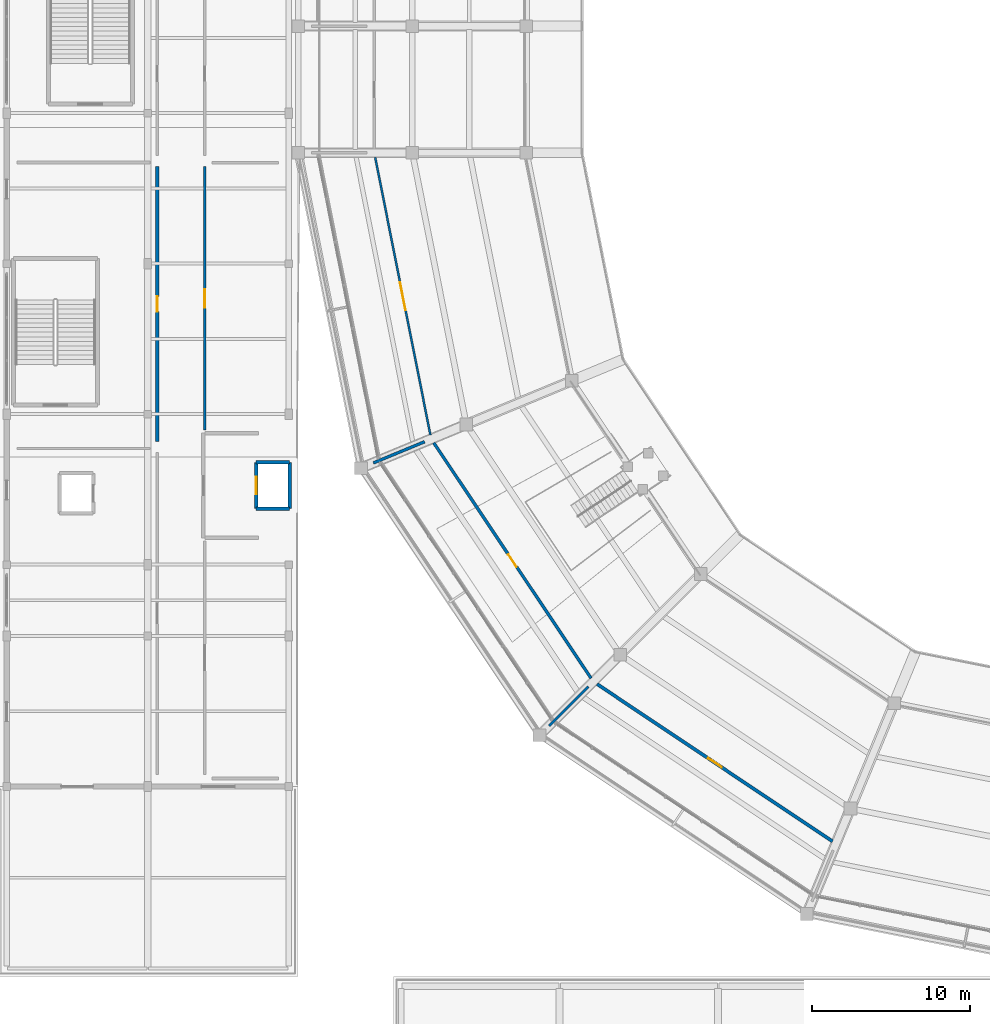
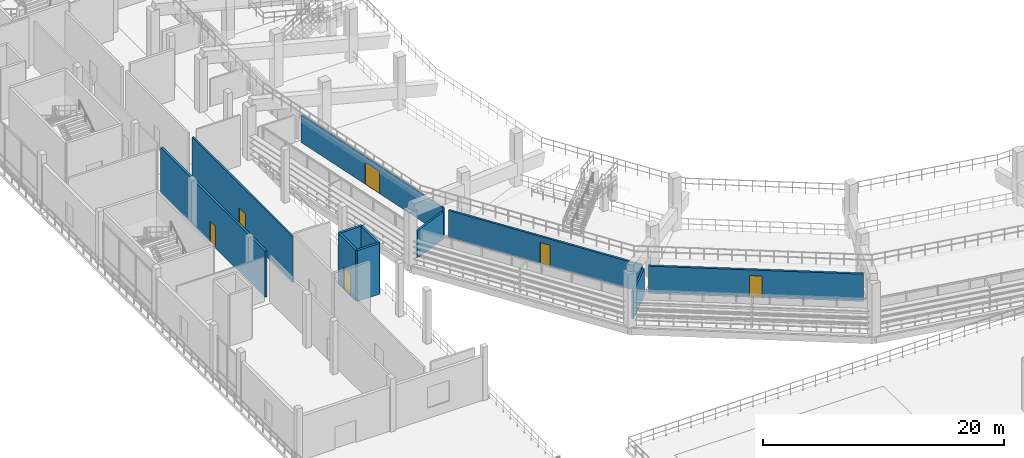
# One storey, part 60 of 96: 11 walls, 6 doors, 6 openings.
"""IFC4 building model written with IfcOpenShell, lengths in metres."""

from ifc_helpers import new_model, si_unit, direction, frame, frame_2d, origin, place, context, subcontext, project, spatial, rectangle, extrude, material, layer, layer_set, type_object, element, fill, save


model = new_model("IFC4")

# Units and contexts
model_context = context("Model", 3, precision=1e-05, world=origin(), true_north=direction((0.0, 1.0)))
body_context = subcontext(model_context, "Body", "Model", "MODEL_VIEW")
ifc_project = project(units=[si_unit("LENGTHUNIT", "METRE"), si_unit("AREAUNIT", "SQUARE_METRE"), si_unit("VOLUMEUNIT", "CUBIC_METRE"), si_unit("PLANEANGLEUNIT", "RADIAN"), si_unit("MASSUNIT", "GRAM", prefix="KILO")], contexts=[model_context])

# Site, building, storey
site_placement = place(None, origin())
site = spatial("IfcSite", under=ifc_project, at=site_placement, CompositionType="ELEMENT")
building_placement = place(site_placement, origin())
building = spatial("IfcBuilding", under=site, at=building_placement, Name="Candeia Ridge Stadium", CompositionType="ELEMENT")
storey_placement = place(building_placement, frame((0.0, 0.0, 21.60009765625)))
storey = spatial("IfcBuildingStorey", under=building, at=storey_placement, Name="L04", CompositionType="ELEMENT", Elevation=21.60009765625)

# Wall, opening, door
ifc_material_1 = material(Name="Gypsum Acoustic Twin-Stud Assembly", Category="gypsum")
ifc_layer_1 = layer(ifc_material_1, 0.159912109375, Name="Gypsum Acoustic Twin-Stud Assembly", Category="gypsum")
ifc_layer_set_1 = layer_set([ifc_layer_1], Name="Gypsum Acoustic Twin-Stud Assembly")
wall_type_1 = type_object("IfcWallType", Name="Club Dining Acoustic Partition 160", PredefinedType="PARTITIONING", material=ifc_layer_set_1)
wall_1_placement = place(storey_placement, frame((13.10009765625, 53.489990234375, 0.0), z_axis=(0.0, 0.0, 1.0), x_axis=(0.0, 1.0, 0.0)))
wall_1 = element("IfcWall", 1, at=wall_1_placement, inside=storey, type_object=wall_type_1, Name="Interior partition PT-L04-0629", PredefinedType="PARTITIONING", context=body_context, shape_type="SweptSolid", body=[
    extrude(rectangle(XDim=16.635986328125, YDim=0.159912109375, at=frame_2d((8.31787109375, 0.0))), origin(), (0.0, 0.0, 1.0), 4.666015625),
])
opening_1_placement = place(wall_1_placement, frame((7.742919921875, 0.0, 0.0)))
opening_1 = element("IfcOpeningElement", 2, at=opening_1_placement, cuts=wall_1, Name="Opening ID02", PredefinedType="OPENING", context=body_context, shape_type="SweptSolid", body=[
    extrude(rectangle(XDim=1.14990234375, YDim=2.199951171875, at=frame_2d((0.574951171875, 1.10009765625))), frame((0.0, 0.08984375, 0.0), z_axis=(0.0, -1.0, 0.0), x_axis=(1.0, 0.0, 0.0)), (0.0, 0.0, 1.0), 0.179931640625),
])
ifc_material_2 = material(Name="Acoustic Timber Studio Leaf", Category="wood")
door_type_1 = type_object("IfcDoorType", Name="Broadcast & Press Studio Door 1150x2200", OperationType="NOTDEFINED", PredefinedType="DOOR", material=ifc_material_2)
door_1_placement = place(opening_1_placement, origin())
door_1 = element("IfcDoor", 3, at=door_1_placement, inside=storey, type_object=door_type_1, Name="Interior room door D-L04-0323", OperationType="SINGLE_SWING_RIGHT", OverallHeight=2.199951171875, OverallWidth=1.14990234375, PredefinedType="DOOR", context=body_context, shape_type="SweptSolid", body=[
    extrude(rectangle(XDim=1.14990234375, YDim=2.199951171875, at=frame_2d((0.574951171875, 1.10009765625))), frame((0.0, 0.02490234375, 0.0), z_axis=(0.0, -1.0, 0.0), x_axis=(1.0, 0.0, 0.0)), (0.0, 0.0, 1.0), 0.050048828125),
])
fill(opening_1, door_1)

# Walls
ifc_layer_2 = layer(ifc_material_1, 0.1650390625, Name="Gypsum Acoustic Twin-Stud Assembly", Category="gypsum")
ifc_layer_set_2 = layer_set([ifc_layer_2], Name="Gypsum Acoustic Twin-Stud Assembly")
wall_type_2 = type_object("IfcWallType", Name="Hospitality Suite Acoustic Wall 165", PredefinedType="PARTITIONING", material=ifc_layer_set_2)
wall_2_placement = place(storey_placement, frame((37.306396484375, 37.306396484375, 0.0), z_axis=(0.0, 0.0, 1.0), x_axis=(-0.707106781187, -0.707106781187, 0.0)))
element("IfcWall", 4, at=wall_2_placement, inside=storey, type_object=wall_type_2, Name="Demising partition PT-L04-0655", PredefinedType="PARTITIONING", context=body_context, shape_type="SweptSolid", body=[
    extrude(rectangle(XDim=3.5, YDim=0.1650390625, at=frame_2d((1.75, 0.0))), origin(), (0.0, 0.0, 1.0), 2.772216796875),
])
ifc_material_3 = material(Name="Concrete C40/50", Category="concrete")
ifc_layer_3 = layer(ifc_material_3, 0.219970703125, Name="Concrete C40/50", Category="concrete")
ifc_layer_set_3 = layer_set([ifc_layer_3], Name="Concrete C40/50")
wall_type_3 = type_object("IfcWallType", Name="Lift & Riser Shaft Wall 220", PredefinedType="SHEAR", material=ifc_layer_set_3)
wall_3_placement = place(storey_placement, frame((16.340087890625, 48.5400390625, 0.0), z_axis=(0.0, 0.0, 1.0), x_axis=(1.0, 0.0, 0.0)))
element("IfcWall", 5, at=wall_3_placement, inside=storey, type_object=wall_type_3, Name="Lift FF1 shaft wall L04 south", PredefinedType="SHEAR", context=body_context, shape_type="SweptSolid", body=[
    extrude(rectangle(XDim=2.119873046875, YDim=0.219970703125, at=frame_2d((1.06005859375, 0.0))), origin(), (0.0, 0.0, 1.0), 5.14990234375),
])
wall_4_placement = place(storey_placement, frame((18.4599609375, 48.5400390625, 0.0), z_axis=(0.0, 0.0, 1.0), x_axis=(0.0, 1.0, 0.0)))
element("IfcWall", 6, at=wall_4_placement, inside=storey, type_object=wall_type_3, Name="Lift FF1 shaft wall L04 east", PredefinedType="SHEAR", context=body_context, shape_type="SweptSolid", body=[
    extrude(rectangle(XDim=2.919921875, YDim=0.219970703125, at=frame_2d((1.4599609375, 0.0))), origin(), (0.0, 0.0, 1.0), 5.14990234375),
])
wall_5_placement = place(storey_placement, frame((18.4599609375, 51.4599609375, 0.0), z_axis=(0.0, 0.0, 1.0), x_axis=(-1.0, 0.0, 0.0)))
element("IfcWall", 7, at=wall_5_placement, inside=storey, type_object=wall_type_3, Name="Lift FF1 shaft wall L04 north", PredefinedType="SHEAR", context=body_context, shape_type="SweptSolid", body=[
    extrude(rectangle(XDim=2.119873046875, YDim=0.219970703125, at=frame_2d((1.06005859375, 0.0))), origin(), (0.0, 0.0, 1.0), 5.14990234375),
])

# Wall, opening, door
wall_6_placement = place(storey_placement, frame((16.340087890625, 51.4599609375, 0.0), z_axis=(0.0, 0.0, 1.0), x_axis=(0.0, -1.0, 0.0)))
wall_6 = element("IfcWall", 8, at=wall_6_placement, inside=storey, type_object=wall_type_3, Name="Lift FF1 shaft wall L04 west", PredefinedType="SHEAR", context=body_context, shape_type="SweptSolid", body=[
    extrude(rectangle(XDim=2.919921875, YDim=0.219970703125, at=frame_2d((1.4599609375, 0.0))), origin(), (0.0, 0.0, 1.0), 5.14990234375),
])
opening_2_placement = place(wall_6_placement, frame((0.909912109375, 0.0, 0.0)))
opening_2 = element("IfcOpeningElement", 9, at=opening_2_placement, cuts=wall_6, Name="Opening LD01", PredefinedType="OPENING", context=body_context, shape_type="SweptSolid", body=[
    extrude(rectangle(XDim=1.10009765625, YDim=2.199951171875, at=frame_2d((0.550048828125, 1.10009765625))), frame((0.0, 0.119873046875, 0.0), z_axis=(0.0, -1.0, 0.0), x_axis=(1.0, 0.0, 0.0)), (0.0, 0.0, 1.0), 0.239990234375),
])
ifc_material_4 = material(Name="Brushed Stainless Steel", Category="steel")
door_type_2 = type_object("IfcDoorType", Name="Firefighting Lift Landing Door 1100x2200", OperationType="NOTDEFINED", PredefinedType="DOOR", material=ifc_material_4)
door_2_placement = place(opening_2_placement, origin())
door_2 = element("IfcDoor", 10, at=door_2_placement, inside=storey, type_object=door_type_2, Name="Lift landing sliding door LD-FF1-L04", OperationType="DOUBLE_DOOR_SLIDING", OverallHeight=2.199951171875, OverallWidth=1.10009765625, PredefinedType="DOOR", context=body_context, shape_type="SweptSolid", body=[
    extrude(rectangle(XDim=1.10009765625, YDim=2.199951171875, at=frame_2d((0.550048828125, 1.10009765625))), frame((0.0, 0.02490234375, 0.0), z_axis=(0.0, -1.0, 0.0), x_axis=(1.0, 0.0, 0.0)), (0.0, 0.0, 1.0), 0.050048828125),
])
fill(opening_2, door_2)

ifc_material_5 = material(Name="Gypsum Acoustic Triple-Board Wall", Category="gypsum")
ifc_layer_4 = layer(ifc_material_5, 0.18994140625, Name="Gypsum Acoustic Triple-Board Wall", Category="gypsum")
ifc_layer_set_4 = layer_set([ifc_layer_4], Name="Gypsum Acoustic Triple-Board Wall")
wall_type_4 = type_object("IfcWallType", Name="Media & Commentary Studio Wall 190", PredefinedType="PARTITIONING", material=ifc_layer_set_4)
wall_7_placement = place(storey_placement, frame((27.553955078125, 52.6962890625, 0.0), z_axis=(0.0, 0.0, 1.0), x_axis=(0.55556974362, -0.831469939309, 0.0)))
wall_7 = element("IfcWall", 11, at=wall_7_placement, inside=storey, type_object=wall_type_4, Name="Interior partition PT-L04-0654", PredefinedType="PARTITIONING", context=body_context, shape_type="SweptSolid", body=[
    extrude(rectangle(XDim=17.87646484375, YDim=0.18994140625, at=frame_2d((8.938232421875, 0.0))), origin(), (0.0, 0.0, 1.0), 2.772216796875),
])
opening_3_placement = place(wall_7_placement, frame((8.463134765625, 0.0, 0.0)))
opening_3 = element("IfcOpeningElement", 12, at=opening_3_placement, cuts=wall_7, Name="Opening ID05", PredefinedType="OPENING", context=body_context, shape_type="SweptSolid", body=[
    extrude(rectangle(XDim=0.949951171875, YDim=2.14990234375, at=frame_2d((0.47509765625, 1.074951171875))), frame((0.0, 0.10498046875, 0.0), z_axis=(0.0, -1.0, 0.0), x_axis=(1.0, 0.0, 0.0)), (0.0, 0.0, 1.0), 0.2099609375),
])
ifc_material_6 = material(Name="Solid Core Cedar Veneer", Category="wood")
door_type_3 = type_object("IfcDoorType", Name="General Room Single Door 950x2150", OperationType="NOTDEFINED", PredefinedType="DOOR", material=ifc_material_6)
door_3_placement = place(opening_3_placement, origin())
door_3 = element("IfcDoor", 13, at=door_3_placement, inside=storey, type_object=door_type_3, Name="Interior room door D-L04-0336", OperationType="SINGLE_SWING_LEFT", OverallHeight=2.14990234375, OverallWidth=0.949951171875, PredefinedType="DOOR", context=body_context, shape_type="SweptSolid", body=[
    extrude(rectangle(XDim=0.949951171875, YDim=2.14990234375, at=frame_2d((0.47509765625, 1.074951171875))), frame((0.0, 0.02490234375, 0.0), z_axis=(0.0, -1.0, 0.0), x_axis=(1.0, 0.0, 0.0)), (0.0, 0.0, 1.0), 0.050048828125),
])
fill(opening_3, door_3)

# Wall
ifc_layer_5 = layer(ifc_material_5, 0.18505859375, Name="Gypsum Acoustic Triple-Board Wall", Category="gypsum")
ifc_layer_set_5 = layer_set([ifc_layer_5], Name="Gypsum Acoustic Triple-Board Wall")
wall_type_5 = type_object("IfcWallType", Name="Media Booth Studio Divider 185", PredefinedType="PARTITIONING", material=ifc_layer_set_5)
wall_8_placement = place(storey_placement, frame((26.977294921875, 52.76513671875, 0.0), z_axis=(0.0, 0.0, 1.0), x_axis=(-0.923896124067, -0.382643374349, 0.0)))
element("IfcWall", 14, at=wall_8_placement, inside=storey, type_object=wall_type_5, Name="Demising partition PT-L04-0653", PredefinedType="PARTITIONING", context=body_context, shape_type="SweptSolid", body=[
    extrude(rectangle(XDim=3.500244140625, YDim=0.18505859375, at=frame_2d((1.75, 0.0))), origin(), (0.0, 0.0, 1.0), 2.772216796875),
])

# Wall, opening, door
ifc_material_7 = material(Name="Moisture-Resistant Masonry & Tile", Category="masonry")
ifc_layer_6 = layer(ifc_material_7, 0.2099609375, Name="Moisture-Resistant Masonry & Tile", Category="masonry")
ifc_layer_set_6 = layer_set([ifc_layer_6], Name="Moisture-Resistant Masonry & Tile")
wall_type_6 = type_object("IfcWallType", Name="Sanitary Wet-Wall Plumbing Chase 210", PredefinedType="PLUMBINGWALL", material=ifc_layer_set_6)
wall_9_placement = place(storey_placement, frame((10.10009765625, 70.1259765625, 0.0), z_axis=(0.0, 0.0, 1.0), x_axis=(0.0, -1.0, 0.0)))
wall_9 = element("IfcWall", 15, at=wall_9_placement, inside=storey, type_object=wall_type_6, Name="Interior partition PT-L04-0627", PredefinedType="PLUMBINGWALL", context=body_context, shape_type="SweptSolid", body=[
    extrude(rectangle(XDim=17.3349609375, YDim=0.2099609375, at=frame_2d((8.66748046875, 0.0))), origin(), (0.0, 0.0, 1.0), 4.666015625),
])
opening_4_placement = place(wall_9_placement, frame((8.1875, 0.0, 0.0)))
opening_4 = element("IfcOpeningElement", 16, at=opening_4_placement, cuts=wall_9, Name="Opening ID17", PredefinedType="OPENING", context=body_context, shape_type="SweptSolid", body=[
    extrude(rectangle(XDim=0.9599609375, YDim=2.14990234375, at=frame_2d((0.47998046875, 1.074951171875))), frame((0.0, 0.114990234375, 0.0), z_axis=(0.0, -1.0, 0.0), x_axis=(1.0, 0.0, 0.0)), (0.0, 0.0, 1.0), 0.22998046875),
])
door_type_4 = type_object("IfcDoorType", Name="Ticketing Office Single Door 960x2150", OperationType="NOTDEFINED", PredefinedType="DOOR", material=ifc_material_6)
door_4_placement = place(opening_4_placement, origin())
door_4 = element("IfcDoor", 17, at=door_4_placement, inside=storey, type_object=door_type_4, Name="Interior room door D-L04-0322", OperationType="SINGLE_SWING_LEFT", OverallHeight=2.14990234375, OverallWidth=0.9599609375, PredefinedType="DOOR", context=body_context, shape_type="SweptSolid", body=[
    extrude(rectangle(XDim=0.9599609375, YDim=2.14990234375, at=frame_2d((0.47998046875, 1.074951171875))), frame((0.0, 0.02490234375, 0.0), z_axis=(0.0, -1.0, 0.0), x_axis=(1.0, 0.0, 0.0)), (0.0, 0.0, 1.0), 0.050048828125),
])
fill(opening_4, door_4)

wall_10_placement = place(storey_placement, frame((37.86572265625, 37.46337890625, 0.0), z_axis=(0.0, 0.0, 1.0), x_axis=(0.831469939309, -0.55556974362, 0.0)))
wall_10 = element("IfcWall", 18, at=wall_10_placement, inside=storey, type_object=wall_type_6, Name="Interior partition PT-L04-0656", PredefinedType="PLUMBINGWALL", context=body_context, shape_type="SweptSolid", body=[
    extrude(rectangle(XDim=17.87646484375, YDim=0.2099609375, at=frame_2d((8.938232421875, 0.0))), origin(), (0.0, 0.0, 1.0), 2.772216796875),
])
opening_5_placement = place(wall_10_placement, frame((8.4130859375, 0.0, 0.0)))
opening_5 = element("IfcOpeningElement", 19, at=opening_5_placement, cuts=wall_10, Name="Opening ID01", PredefinedType="OPENING", context=body_context, shape_type="SweptSolid", body=[
    extrude(rectangle(XDim=1.050048828125, YDim=2.199951171875, at=frame_2d((0.52490234375, 1.10009765625))), frame((0.0, 0.114990234375, 0.0), z_axis=(0.0, -1.0, 0.0), x_axis=(1.0, 0.0, 0.0)), (0.0, 0.0, 1.0), 0.22998046875),
])
ifc_material_8 = material(Name="Western Red Cedar Acoustic Veneer", Category="wood")
door_type_5 = type_object("IfcDoorType", Name="Hospitality Suite Entrance Door 1050x2200", OperationType="NOTDEFINED", PredefinedType="DOOR", material=ifc_material_8)
door_5_placement = place(opening_5_placement, origin())
door_5 = element("IfcDoor", 20, at=door_5_placement, inside=storey, type_object=door_type_5, Name="Interior room door D-L04-0337", OperationType="SINGLE_SWING_RIGHT", OverallHeight=2.199951171875, OverallWidth=1.050048828125, PredefinedType="DOOR", context=body_context, shape_type="SweptSolid", body=[
    extrude(rectangle(XDim=1.050048828125, YDim=2.199951171875, at=frame_2d((0.52490234375, 1.10009765625))), frame((0.0, 0.02490234375, 0.0), z_axis=(0.0, -1.0, 0.0), x_axis=(1.0, 0.0, 0.0)), (0.0, 0.0, 1.0), 0.050048828125),
])
fill(opening_5, door_5)

ifc_material_9 = material(Name="Gypsum Metal-Stud Partition", Category="gypsum")
ifc_layer_7 = layer(ifc_material_9, 0.1298828125, Name="Gypsum Metal-Stud Partition", Category="gypsum")
ifc_layer_set_7 = layer_set([ifc_layer_7], Name="Gypsum Metal-Stud Partition")
wall_type_7 = type_object("IfcWallType", Name="Ticketing Back-Office Partition 130", PredefinedType="PARTITIONING", material=ifc_layer_set_7)
wall_11_placement = place(storey_placement, frame((23.856689453125, 70.715576171875, 0.0), z_axis=(0.0, 0.0, 1.0), x_axis=(0.195078607911, -0.980787610411, 0.0)))
wall_11 = element("IfcWall", 21, at=wall_11_placement, inside=storey, type_object=wall_type_7, Name="Interior partition PT-L04-0652", PredefinedType="PARTITIONING", context=body_context, shape_type="SweptSolid", body=[
    extrude(rectangle(XDim=17.87646484375, YDim=0.1298828125, at=frame_2d((8.938232421875, 0.0))), origin(), (0.0, 0.0, 1.0), 2.772216796875),
])
opening_6_placement = place(wall_11_placement, frame((8.038330078125, 0.0, 0.0)))
opening_6 = element("IfcOpeningElement", 22, at=opening_6_placement, cuts=wall_11, Name="Opening FD03", PredefinedType="OPENING", context=body_context, shape_type="SweptSolid", body=[
    extrude(rectangle(XDim=1.800048828125, YDim=2.199951171875, at=frame_2d((0.89990234375, 1.10009765625))), frame((0.0, 0.074951171875, 0.0), z_axis=(0.0, -1.0, 0.0), x_axis=(1.0, 0.0, 0.0)), (0.0, 0.0, 1.0), 0.14990234375),
])
ifc_material_10 = material(Name="Timber Fire-Rated Acoustic", Category="wood")
door_type_6 = type_object("IfcDoorType", Name="Corridor Compartment Double Door 1800x2200", OperationType="NOTDEFINED", PredefinedType="DOOR", material=ifc_material_10)
door_6_placement = place(opening_6_placement, origin())
door_6 = element("IfcDoor", 23, at=door_6_placement, inside=storey, type_object=door_type_6, Name="Interior room door D-L04-0335", OperationType="DOUBLE_DOOR_SINGLE_SWING", OverallHeight=2.199951171875, OverallWidth=1.800048828125, PredefinedType="DOOR", context=body_context, shape_type="SweptSolid", body=[
    extrude(rectangle(XDim=1.800048828125, YDim=2.199951171875, at=frame_2d((0.89990234375, 1.10009765625))), frame((0.0, 0.02490234375, 0.0), z_axis=(0.0, -1.0, 0.0), x_axis=(1.0, 0.0, 0.0)), (0.0, 0.0, 1.0), 0.050048828125),
])
fill(opening_6, door_6)

save(model, "model.ifc")
